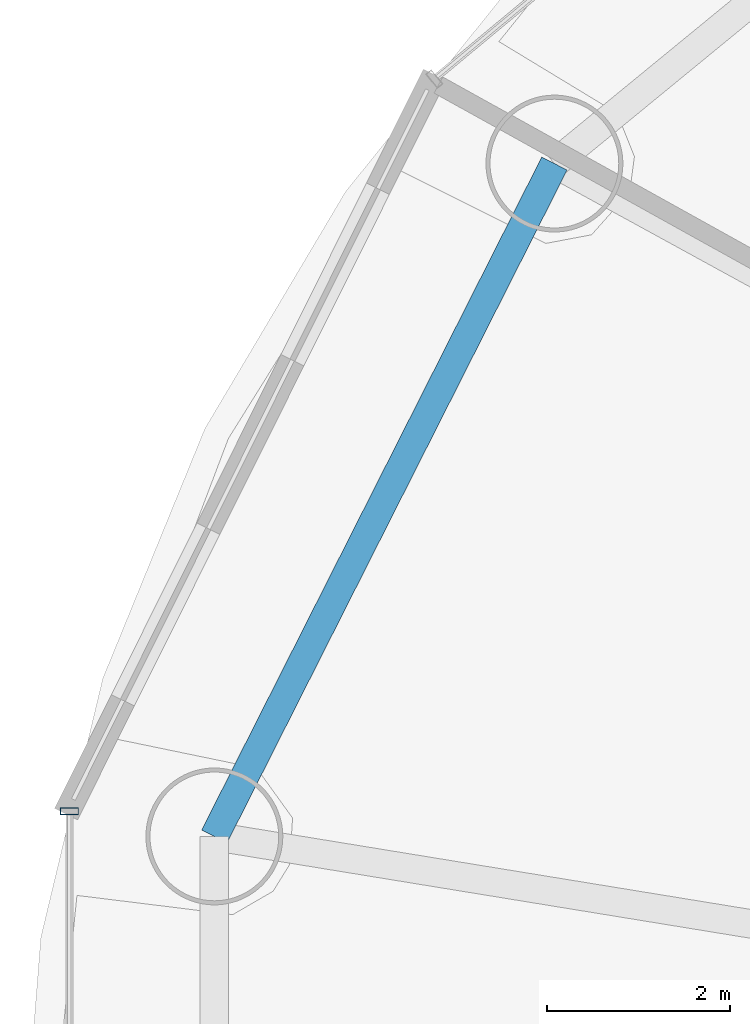
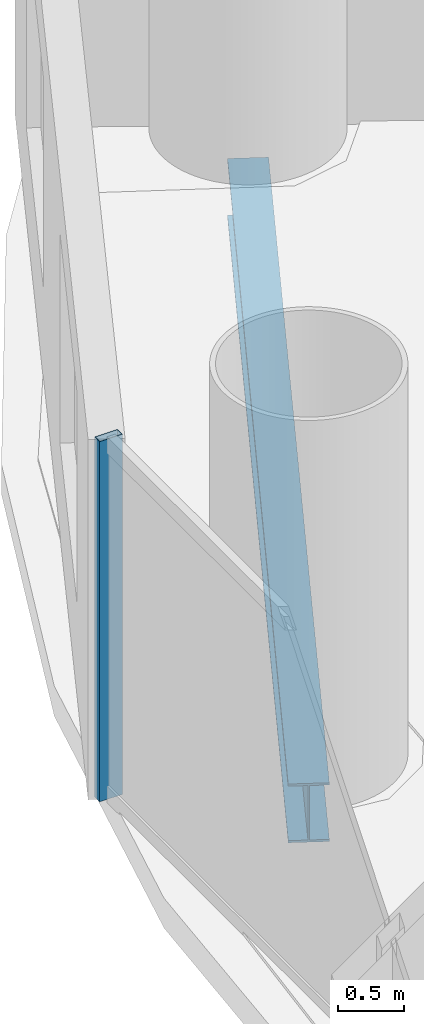
# One storey, part 8 of 28: 1 beam, 1 member, 1 element without a shape of its own.
"""IFC4 building model written with IfcOpenShell, lengths in metres."""

from ifc_helpers import new_model, si_unit, direction, frame, origin, origin_2d, place, context, subcontext, project, spatial, hollow_rectangle, i_section, extrude, source, transform, mapped, material, material_profile, profile_set, type_object, element, aggregate, save


model = new_model("IFC4")

# Units and contexts
model_context = context("Model", 3, precision=1e-05, world=origin(), true_north=direction((-0.2419218956, 0.970295726276)))
body_context = subcontext(model_context, "Body", "Model", "MODEL_VIEW")
ifc_project = project(units=[si_unit("LENGTHUNIT", "METRE"), si_unit("AREAUNIT", "SQUARE_METRE"), si_unit("VOLUMEUNIT", "CUBIC_METRE"), si_unit("PLANEANGLEUNIT", "RADIAN"), si_unit("MASSUNIT", "GRAM", prefix="KILO")], contexts=[model_context])

# Site, building, storey
site_placement = place(None, origin())
site = spatial("IfcSite", under=ifc_project, at=site_placement, CompositionType="ELEMENT")
building_placement = place(site_placement, origin())
building = spatial("IfcBuilding", under=site, at=building_placement, Name="Cobrevalo Terracotta Tower", CompositionType="ELEMENT")
storey_placement = place(building_placement, frame((0.0, 0.0, 108.60009765625)))
storey = spatial("IfcBuildingStorey", under=building, at=storey_placement, Name="L28", CompositionType="ELEMENT", Elevation=108.60009765625)

# Beam
ifc_material_1 = material(Name="Steel S355", Category="steel")
ifc_material_profile_1 = material_profile(ifc_material_1, i_section(OverallWidth=0.31201171875, OverallDepth=0.54296875, WebThickness=0.0126953125, FlangeThickness=0.020263671875, at=origin_2d()), Name="W 530x150")
ifc_profile_set_1 = profile_set([ifc_material_profile_1], Name="Steel S355")
beam_type = type_object("IfcBeamType", Name="Structural Spandrel W 530x150 (Steel S355)", PredefinedType="SPANDREL", material=ifc_profile_set_1)
beam_placement = place(storey_placement, frame((17.2548828125, 38.161376953125, -0.546630859375), z_axis=(-0.451051982172, -0.892497680321, 0.0), x_axis=(0.892497680321, -0.451051982172, 0.0)))
element("IfcBeam", 1, at=beam_placement, inside=storey, type_object=beam_type, Name="L28 perimeter ring spandrel 07", PredefinedType="SPANDREL", context=body_context, shape_type="SweptSolid", body=[
    extrude(i_section(OverallWidth=0.31201171875, OverallDepth=0.54296875, WebThickness=0.0126953125, FlangeThickness=0.020263671875, at=origin_2d()), origin(), (0.0, 0.0, 1.0), 8.259765625),
])

# Curtain wall, member
ifc_material_2 = material(Name="Anodized aluminium", Category="aluminium")
curtain_wall_type = type_object("IfcCurtainWallType", Name="Lower-tower unitised acoustic low-E curtain wall CW-U1", PredefinedType="NOTDEFINED", material=ifc_material_2)
curtain_wall_placement = place(storey_placement, origin())
curtain_wall = element("IfcCurtainWall", 2, at=curtain_wall_placement, inside=storey, type_object=curtain_wall_type, Name="L28 curtain wall CW-L28-S08", PredefinedType="NOTDEFINED")
ifc_material_profile_2 = material_profile(ifc_material_2, hollow_rectangle(XDim=0.074951171875, YDim=0.199951171875, WallThickness=0.0048828125, at=origin_2d()), Name="CWM 75x200")
ifc_profile_set_2 = profile_set([ifc_material_profile_2], Name="Anodized aluminium")
member_type = type_object("IfcMemberType", Name="Lower/mid tower unitised mullion 75x200", PredefinedType="MULLION", material=ifc_profile_set_2)
shared_shape = source(origin(), body_context, "Body", "SweptSolid", [
    extrude(hollow_rectangle(XDim=0.074951171875, YDim=0.199951171875, WallThickness=0.0048828125, at=origin_2d()), origin(), (0.0, 0.0, 1.0), 3.324951171875),
])
member_placement = place(storey_placement, frame((11.9404296875, 31.065673828125, 0.0), z_axis=(0.0, 0.0, 1.0), x_axis=(0.0, -1.0, 0.0)))
member = element("IfcMember", 3, at=member_placement, type_object=member_type, Name="CW-L28-S08 vertical mullion 01", PredefinedType="MULLION", context=body_context, shape_type="MappedRepresentation", body=[
    mapped(shared_shape, transform((0.0, 0.0, 0.0), scale=1.0)),
])
aggregate(curtain_wall, [member])

save(model, "model.ifc")
